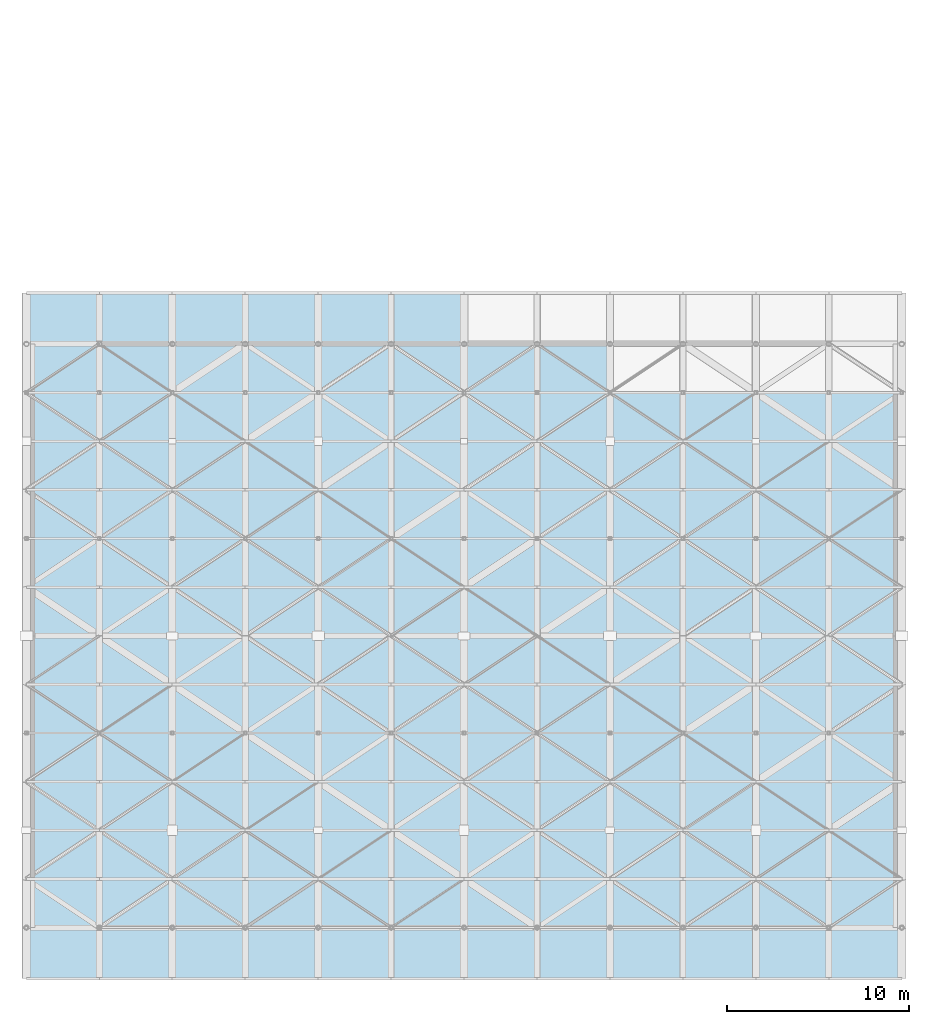
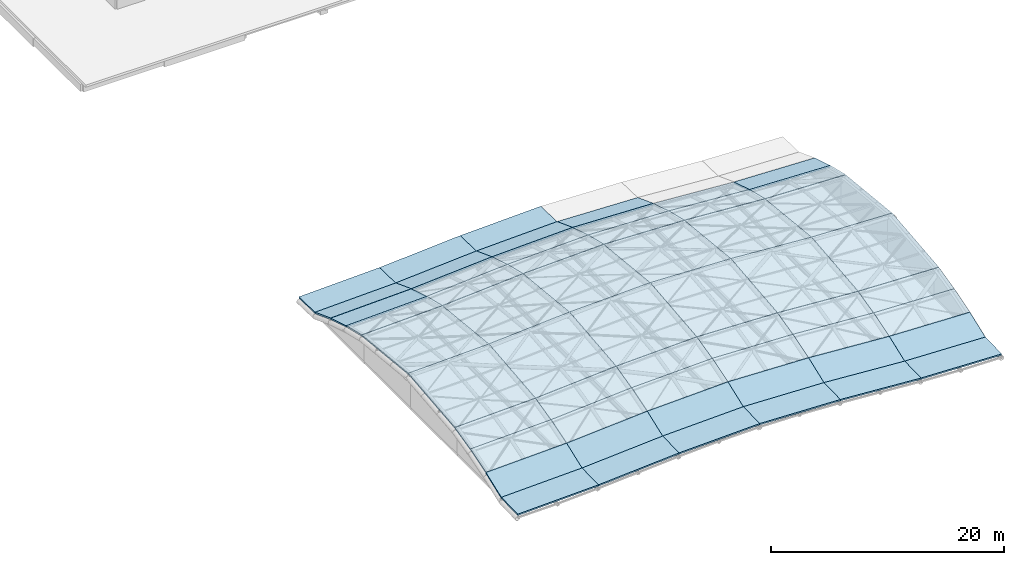
# One storey, part 18 of 20: 55 slabs.
"""IFC4 building model written with IfcOpenShell, lengths in metres."""

from ifc_helpers import new_model, si_unit, direction, frame, origin, place, context, subcontext, project, spatial, polyline, outline, extrude, material, layer, layer_set, type_object, element, save


model = new_model("IFC4")

# Units and contexts
model_context = context("Model", 3, precision=1e-05, world=origin(), true_north=direction((0.0, 1.0)))
body_context = subcontext(model_context, "Body", "Model", "MODEL_VIEW")
ifc_project = project(units=[si_unit("LENGTHUNIT", "METRE"), si_unit("AREAUNIT", "SQUARE_METRE"), si_unit("VOLUMEUNIT", "CUBIC_METRE"), si_unit("PLANEANGLEUNIT", "RADIAN"), si_unit("MASSUNIT", "GRAM", prefix="KILO")], contexts=[model_context])

# Site, building, storey
site_placement = place(None, origin())
site = spatial("IfcSite", under=ifc_project, at=site_placement, CompositionType="ELEMENT")
building_placement = place(site_placement, origin())
building = spatial("IfcBuilding", under=site, at=building_placement, Name="Tenunan Teduh Sports Hall", CompositionType="ELEMENT")
storey_placement = place(building_placement, frame((0.0, 0.0, 23.39990234375)))
storey = spatial("IfcBuildingStorey", under=building, at=storey_placement, Name="RF", CompositionType="ELEMENT", Elevation=23.39990234375)

# Slabs
ifc_material_1 = material(Name="Concrete C40/50", Category="concrete")
ifc_layer_1 = layer(ifc_material_1, 0.14501953125)
ifc_layer_set_1 = layer_set([ifc_layer_1], Name="Concrete C40/50")
slab_type_1 = type_object("IfcSlabType", Name="SLB-ROOF-145", PredefinedType="ROOF", material=ifc_layer_set_1)
slab_1_placement = place(storey_placement, frame((6.0, 14.0, 0.070068359375), z_axis=(-0.03201273445, -0.353380874841, 0.934931624307), x_axis=(0.999414301422, 0.0, 0.034220667914)))
element("IfcSlab", 1, at=slab_1_placement, inside=storey, type_object=slab_type_1, Name="Doubly-Curved Gridshell Roof Facet V2-1-2", PredefinedType="ROOF", context=body_context, shape_type="SweptSolid", body=[
    extrude(outline(polyline([(0.0, 0.0), (8.004688334572023, -1.3877787807814457e-17), (8.039184706109044, 2.85093590233891), (0.03449637153702091, 2.85093590233891), (0.0, 0.0)])), origin(), (0.0, 0.0, -1.0), 0.14501953125),
])
slab_2_placement = place(storey_placement, frame((6.0, 19.3330078125, 1.902099609375), z_axis=(-0.033262783186, -0.234945312606, 0.971439286491), x_axis=(0.999414301422, 0.0, 0.034220667914)))
element("IfcSlab", 2, at=slab_2_placement, inside=storey, type_object=slab_type_1, Name="Doubly-Curved Gridshell Roof Facet V2-1-4", PredefinedType="ROOF", context=body_context, shape_type="SweptSolid", body=[
    extrude(outline(polyline([(0.0, 0.0), (8.004688334572023, 0.0), (8.026761333748775, 2.743794873270841), (0.02207299917675206, 2.743794873270841), (0.0, 0.0)])), origin(), (0.0, 0.0, -1.0), 0.14501953125),
])
slab_3_placement = place(storey_placement, frame((6.0, 30.0, 3.37109375), z_axis=(-0.034040796302, 0.102395443422, 0.994161152607), x_axis=(0.999414301422, 0.0, 0.034220667914)))
element("IfcSlab", 3, at=slab_3_placement, inside=storey, type_object=slab_type_1, Name="Doubly-Curved Gridshell Roof Facet V2-1-6", PredefinedType="ROOF", context=body_context, shape_type="SweptSolid", body=[
    extrude(outline(polyline([(0.0, 0.0), (8.004688334572023, 0.0), (7.976491373095286, 8.042272010337513), (-0.028196961476736636, 8.042272010337513), (0.0, 0.0)])), origin(), (0.0, 0.0, -1.0), 0.14501953125),
])
slab_4_placement = place(storey_placement, frame((6.0, 40.6669921875, 1.902099609375), z_axis=(-0.032696416191, 0.295126610269, 0.954898543448), x_axis=(0.999414301422, 0.0, 0.034220667914)))
element("IfcSlab", 4, at=slab_4_placement, inside=storey, type_object=slab_type_1, Name="Doubly-Curved Gridshell Roof Facet V2-1-8", PredefinedType="ROOF", context=body_context, shape_type="SweptSolid", body=[
    extrude(outline(polyline([(0.0, 0.0), (8.004688334572023, 0.0), (7.976491373095286, 2.790300772497887), (-0.028196961476736636, 2.790300772497887), (0.0, 0.0)])), origin(), (0.0, 0.0, -1.0), 0.14501953125),
])
slab_5_placement = place(storey_placement, frame((6.0, 46.0, 0.070068359375), z_axis=(-0.034207454097, 0.027787083186, 0.999028392035), x_axis=(0.999414301422, 0.0, 0.034220667914)))
element("IfcSlab", 5, at=slab_5_placement, inside=storey, type_object=slab_type_1, Name="Doubly-Curved Gridshell Roof Facet V2-1-10", PredefinedType="ROOF", context=body_context, shape_type="SweptSolid", body=[
    extrude(outline(polyline([(0.0, 0.0), (8.004688334572023, -8.673617379884035e-19), (8.00202319954652, 2.8011304441593703), (-0.002665135025504885, 2.80113044415937), (0.0, 0.0)])), origin(), (0.0, 0.0, -1.0), 0.14501953125),
])
slab_6_placement = place(storey_placement, frame((14.0, 14.0, 0.343994140625), z_axis=(-0.064296092415, -0.352830521692, 0.933475567684), x_axis=(0.997636305652, 0.0, 0.068715366878)))
element("IfcSlab", 6, at=slab_6_placement, inside=storey, type_object=slab_type_1, Name="Doubly-Curved Gridshell Roof Facet V2-2-2", PredefinedType="ROOF", context=body_context, shape_type="SweptSolid", body=[
    extrude(outline(polyline([(0.0, 0.0), (8.018954357091294, 0.0), (8.088223338985586, 2.8503030237224825), (0.06926898189429265, 2.8503030237224825), (0.0, 0.0)])), origin(), (0.0, 0.0, -1.0), 0.14501953125),
])
slab_7_placement = place(storey_placement, frame((14.0, 19.3330078125, 2.176025390625), z_axis=(-0.066804041325, -0.23421473368, 0.969886941138), x_axis=(0.997636305652, 0.0, 0.068715366878)))
element("IfcSlab", 7, at=slab_7_placement, inside=storey, type_object=slab_type_1, Name="Doubly-Curved Gridshell Roof Facet V2-2-4", PredefinedType="ROOF", context=body_context, shape_type="SweptSolid", body=[
    extrude(outline(polyline([(0.0, 0.0), (8.018954357091294, 0.0), (8.063210005974108, 2.743297306404158), (0.04425564888281521, 2.743297306404158), (0.0, 0.0)])), origin(), (0.0, 0.0, -1.0), 0.14501953125),
])
slab_8_placement = place(storey_placement, frame((14.0, 30.0, 3.64501953125), z_axis=(-0.06823403238, 0.102335905642, 0.992406912129), x_axis=(0.997644646858, 0.0, 0.068594158611)))
element("IfcSlab", 8, at=slab_8_placement, inside=storey, type_object=slab_type_1, Name="Doubly-Curved Gridshell Roof Facet V2-2-6", PredefinedType="ROOF", context=body_context, shape_type="SweptSolid", body=[
    extrude(outline(polyline([(0.0, 0.0), (8.018887311424303, 0.0), (7.962300479894233, 8.04222247680797), (-0.056586831530070776, 8.04222247680797), (0.0, 0.0)])), origin(), (0.0, 0.0, -1.0), 0.14501953125),
])
slab_9_placement = place(storey_placement, frame((14.0, 40.6669921875, 2.176025390625), z_axis=(-0.065664824326, 0.294647188474, 0.953347347597), x_axis=(0.997636305652, 0.0, 0.068715366878)))
element("IfcSlab", 9, at=slab_9_placement, inside=storey, type_object=slab_type_1, Name="Doubly-Curved Gridshell Roof Facet V2-2-8", PredefinedType="ROOF", context=body_context, shape_type="SweptSolid", body=[
    extrude(outline(polyline([(0.0, 0.0), (8.018954357091294, 0.0), (7.962334639509981, 2.7898687562714914), (-0.0566197175813121, 2.7898687562714914), (0.0, 0.0)])), origin(), (0.0, 0.0, -1.0), 0.14501953125),
])
slab_10_placement = place(storey_placement, frame((14.0, 46.0, 0.343994140625), z_axis=(-0.068688927702, 0.027737686984, 0.997252451454), x_axis=(0.997636305652, 0.0, 0.068715366878)))
element("IfcSlab", 10, at=slab_10_placement, inside=storey, type_object=slab_type_1, Name="Doubly-Curved Gridshell Roof Facet V2-2-10", PredefinedType="ROOF", context=body_context, shape_type="SweptSolid", body=[
    extrude(outline(polyline([(0.0, 0.0), (8.018954357091294, 1.734723475976807e-18), (8.01360274526657, 2.8011265998508623), (-0.005351611824722537, 2.8011265998508623), (0.0, 0.0)])), origin(), (0.0, 0.0, -1.0), 0.14501953125),
])
slab_11_placement = place(storey_placement, frame((22.0, 14.0, 0.89501953125), z_axis=(-0.032387178077, -0.353077013175, 0.935033525315), x_axis=(0.999400662727, 0.0, 0.034616691656)))
element("IfcSlab", 11, at=slab_11_placement, inside=storey, type_object=slab_type_1, Name="Doubly-Curved Gridshell Roof Facet V2-3-2", PredefinedType="ROOF", context=body_context, shape_type="SweptSolid", body=[
    extrude(outline(polyline([(0.0, 0.0), (8.004797573550238, 0.0), (8.039659354087933, 2.8505863025349774), (0.03486178053769502, 2.8505863025349774), (0.0, 0.0)])), origin(), (0.0, 0.0, -1.0), 0.14501953125),
])
slab_12_placement = place(storey_placement, frame((22.0, 19.3330078125, 2.72705078125), z_axis=(-0.033650557172, -0.23460617165, 0.971507892004), x_axis=(0.999400662727, 0.0, 0.034616691656)))
element("IfcSlab", 12, at=slab_12_placement, inside=storey, type_object=slab_type_1, Name="Doubly-Curved Gridshell Roof Facet V2-3-4", PredefinedType="ROOF", context=body_context, shape_type="SweptSolid", body=[
    extrude(outline(polyline([(0.0, 0.0), (8.004797573550238, -1.3877787807814457e-17), (8.02709221041289, 2.7435636721150667), (0.02229463686265199, 2.7435636721150667), (0.0, 0.0)])), origin(), (0.0, 0.0, -1.0), 0.14501953125),
])
slab_13_placement = place(storey_placement, frame((22.0, 30.0, 4.195068359375), z_axis=(-0.034555954646, 0.102393632072, 0.994143566146), x_axis=(0.99939643471, 0.0, 0.034738541844)))
element("IfcSlab", 13, at=slab_13_placement, inside=storey, type_object=slab_type_1, Name="Doubly-Curved Gridshell Roof Facet V2-3-6", PredefinedType="ROOF", context=body_context, shape_type="SweptSolid", body=[
    extrude(outline(polyline([(0.0, 0.0), (8.004831438410472, 6.938893903907228e-18), (7.976207761964551, 8.04227050291405), (-0.028623676445921103, 8.042270502914052), (0.0, 0.0)])), origin(), (0.0, 0.0, -1.0), 0.14501953125),
])
slab_14_placement = place(storey_placement, frame((22.0, 40.6669921875, 2.72705078125), z_axis=(-0.033071423917, 0.295442194859, 0.954788034287), x_axis=(0.999400662727, 0.0, 0.034616691656)))
element("IfcSlab", 14, at=slab_14_placement, inside=storey, type_object=slab_type_1, Name="Doubly-Curved Gridshell Roof Facet V2-3-8", PredefinedType="ROOF", context=body_context, shape_type="SweptSolid", body=[
    extrude(outline(polyline([(0.0, 0.0), (8.004797573550238, 0.0), (7.976240493201906, 2.7905856449648803), (-0.028557080348332483, 2.7905856449648803), (0.0, 0.0)])), origin(), (0.0, 0.0, -1.0), 0.14501953125),
])
slab_15_placement = place(storey_placement, frame((22.0, 46.0, 0.89501953125), z_axis=(-0.034587720396, 0.028178385516, 0.999004338423), x_axis=(0.999401189768, -4.29282e-07, 0.034601472368)))
element("IfcSlab", 15, at=slab_15_placement, inside=storey, type_object=slab_type_1, Name="Doubly-Curved Gridshell Roof Facet V2-3-10", PredefinedType="ROOF", context=body_context, shape_type="SweptSolid", body=[
    extrude(outline(polyline([(0.0, 0.0), (8.004797572621326, 8.673617379884035e-19), (8.002059340080235, 2.801164576436946), (-0.002729784916001238, 2.8011577010714284), (0.0, 0.0)])), origin(), (0.0, 0.0, -1.0), 0.14501953125),
])
slab_16_placement = place(storey_placement, frame((30.0, 14.0, 1.172119140625), z_axis=(0.032383261743, -0.353376654573, 0.934920458842), x_axis=(0.999400662727, 0.0, -0.034616691656)))
element("IfcSlab", 16, at=slab_16_placement, inside=storey, type_object=slab_type_1, Name="Doubly-Curved Gridshell Roof Facet V2-4-2", PredefinedType="ROOF", context=body_context, shape_type="SweptSolid", body=[
    extrude(outline(polyline([(0.0, 0.0), (8.004797573550238, 0.0), (7.969901987649598, 2.8509310438835325), (-0.034895585900640666, 2.8509310438835325), (0.0, 0.0)])), origin(), (0.0, 0.0, -1.0), 0.14501953125),
])
slab_17_placement = place(storey_placement, frame((30.0, 19.3330078125, 3.004150390625), z_axis=(0.033650557172, -0.23460617165, 0.971507892004), x_axis=(0.999400662727, 0.0, -0.034616691656)))
element("IfcSlab", 17, at=slab_17_placement, inside=storey, type_object=slab_type_1, Name="Doubly-Curved Gridshell Roof Facet V2-4-4", PredefinedType="ROOF", context=body_context, shape_type="SweptSolid", body=[
    extrude(outline(polyline([(0.0, 0.0), (8.004797573550238, 1.3877787807814457e-17), (7.982502936687586, 2.743563672115067), (-0.02229463686265199, 2.7435636721150667), (0.0, 0.0)])), origin(), (0.0, 0.0, -1.0), 0.14501953125),
])
slab_18_placement = place(storey_placement, frame((30.0, 30.0, 4.47314453125), z_axis=(0.034555525007, 0.102513712903, 0.994131205806), x_axis=(0.99939643471, 0.0, -0.034738541844)))
element("IfcSlab", 18, at=slab_18_placement, inside=storey, type_object=slab_type_1, Name="Doubly-Curved Gridshell Roof Facet V2-4-6", PredefinedType="ROOF", context=body_context, shape_type="SweptSolid", body=[
    extrude(outline(polyline([(0.0, 0.0), (8.004831438410472, -6.938893903907228e-18), (8.033489039213661, 8.042370494940789), (0.028657600803190342, 8.042370494940789), (0.0, 0.0)])), origin(), (0.0, 0.0, -1.0), 0.14501953125),
])
slab_19_placement = place(storey_placement, frame((30.0, 40.6669921875, 3.004150390625), z_axis=(0.033074839618, 0.295122933556, 0.954886647238), x_axis=(0.999400662727, 0.0, -0.034616691656)))
element("IfcSlab", 19, at=slab_19_placement, inside=storey, type_object=slab_type_1, Name="Doubly-Curved Gridshell Roof Facet V2-4-8", PredefinedType="ROOF", context=body_context, shape_type="SweptSolid", body=[
    extrude(outline(polyline([(0.0, 0.0), (8.004797573550238, -1.3877787807814457e-17), (8.033320848535626, 2.790297455903749), (0.028523274985386836, 2.790297455903749), (0.0, 0.0)])), origin(), (0.0, 0.0, -1.0), 0.14501953125),
])
slab_20_placement = place(storey_placement, frame((38.0, 14.0, 0.89501953125), z_axis=(0.064303844171, -0.352531211695, 0.933588110681), x_axis=(0.997636305652, 0.0, -0.068715366878)))
element("IfcSlab", 20, at=slab_20_placement, inside=storey, type_object=slab_type_1, Name="Doubly-Curved Gridshell Roof Facet V2-5-2", PredefinedType="ROOF", context=body_context, shape_type="SweptSolid", body=[
    extrude(outline(polyline([(0.0, 0.0), (8.018954357091294, 0.0), (7.949752480047468, 2.849959422896386), (-0.06920187704382591, 2.8499594228963865), (0.0, 0.0)])), origin(), (0.0, 0.0, -1.0), 0.14501953125),
])
slab_21_placement = place(storey_placement, frame((38.0, 19.3330078125, 2.72705078125), z_axis=(0.066804041325, -0.23421473368, 0.969886941138), x_axis=(0.997636305652, 0.0, -0.068715366878)))
element("IfcSlab", 21, at=slab_21_placement, inside=storey, type_object=slab_type_1, Name="Doubly-Curved Gridshell Roof Facet V2-5-4", PredefinedType="ROOF", context=body_context, shape_type="SweptSolid", body=[
    extrude(outline(polyline([(0.0, 0.0), (8.018954357091294, 0.0), (7.974698708208479, 2.743297306404158), (-0.04425564888281521, 2.743297306404158), (0.0, 0.0)])), origin(), (0.0, 0.0, -1.0), 0.14501953125),
])
slab_22_placement = place(storey_placement, frame((38.0, 30.0, 4.195068359375), z_axis=(0.068234877814, 0.102216028683, 0.992419208263), x_axis=(0.997644646858, 0.0, -0.068594158611)))
element("IfcSlab", 22, at=slab_22_placement, inside=storey, type_object=slab_type_1, Name="Doubly-Curved Gridshell Roof Facet V2-5-6", PredefinedType="ROOF", context=body_context, shape_type="SweptSolid", body=[
    extrude(outline(polyline([(0.0, 0.0), (8.018887311424303, 0.0), (8.075407156471355, 8.042122833183447), (0.05651984504705205, 8.042122833183447), (0.0, 0.0)])), origin(), (0.0, 0.0, -1.0), 0.14501953125),
])
slab_23_placement = place(storey_placement, frame((38.0, 40.6669921875, 2.72705078125), z_axis=(0.065658064838, 0.294966033246, 0.953249210728), x_axis=(0.997636305652, 0.0, -0.068715366878)))
element("IfcSlab", 23, at=slab_23_placement, inside=storey, type_object=slab_type_1, Name="Doubly-Curved Gridshell Roof Facet V2-5-8", PredefinedType="ROOF", context=body_context, shape_type="SweptSolid", body=[
    extrude(outline(polyline([(0.0, 0.0), (8.018954357091294, 0.0), (8.075641179523073, 2.7901559728597007), (0.05668682243177885, 2.790155972859701), (0.0, 0.0)])), origin(), (0.0, 0.0, -1.0), 0.14501953125),
])
slab_24_placement = place(storey_placement, frame((46.0, 14.0, 0.343994140625), z_axis=(0.03201273445, -0.353380874841, 0.934931624307), x_axis=(0.999414301422, 0.0, -0.034220667914)))
element("IfcSlab", 24, at=slab_24_placement, inside=storey, type_object=slab_type_1, Name="Doubly-Curved Gridshell Roof Facet V2-6-2", PredefinedType="ROOF", context=body_context, shape_type="SweptSolid", body=[
    extrude(outline(polyline([(0.0, 0.0), (8.004688334572023, 1.3877787807814457e-17), (7.970191963035003, 2.85093590233891), (-0.03449637153702091, 2.85093590233891), (0.0, 0.0)])), origin(), (0.0, 0.0, -1.0), 0.14501953125),
])
slab_25_placement = place(storey_placement, frame((46.0, 19.3330078125, 2.176025390625), z_axis=(0.033265561267, -0.234609197069, 0.971520420312), x_axis=(0.999414301422, 0.0, -0.034220667914)))
element("IfcSlab", 25, at=slab_25_placement, inside=storey, type_object=slab_type_1, Name="Doubly-Curved Gridshell Roof Facet V2-6-4", PredefinedType="ROOF", context=body_context, shape_type="SweptSolid", body=[
    extrude(outline(polyline([(0.0, 0.0), (8.004688334572023, 0.0), (7.982648754016281, 2.743565732886908), (-0.02203958055574259, 2.7435657328869083), (0.0, 0.0)])), origin(), (0.0, 0.0, -1.0), 0.14501953125),
])
slab_26_placement = place(storey_placement, frame((46.0, 30.0, 3.64501953125), z_axis=(0.034040373053, 0.102515526332, 0.994148791612), x_axis=(0.999414301422, 0.0, -0.034220667914)))
element("IfcSlab", 26, at=slab_26_placement, inside=storey, type_object=slab_type_1, Name="Doubly-Curved Gridshell Roof Facet V2-6-6", PredefinedType="ROOF", context=body_context, shape_type="SweptSolid", body=[
    extrude(outline(polyline([(0.0, 0.0), (8.004688334572023, 0.0), (8.03291871466977, 8.042372005920733), (0.028230380097746102, 8.042372005920733), (0.0, 0.0)])), origin(), (0.0, 0.0, -1.0), 0.14501953125),
])
slab_27_placement = place(storey_placement, frame((46.0, 40.6669921875, 2.176025390625), z_axis=(0.032696416191, 0.295126610269, 0.954898543448), x_axis=(0.999414301422, 0.0, -0.034220667914)))
element("IfcSlab", 27, at=slab_27_placement, inside=storey, type_object=slab_type_1, Name="Doubly-Curved Gridshell Roof Facet V2-6-8", PredefinedType="ROOF", context=body_context, shape_type="SweptSolid", body=[
    extrude(outline(polyline([(0.0, 0.0), (8.004688334572023, 0.0), (8.032885296048761, 2.790300772497887), (0.028196961476736636, 2.790300772497887), (0.0, 0.0)])), origin(), (0.0, 0.0, -1.0), 0.14501953125),
])
ifc_material_2 = material(Name="Concrete C40/50", Category="concrete")
ifc_layer_2 = layer(ifc_material_2, 0.159912109375)
ifc_layer_set_2 = layer_set([ifc_layer_2], Name="Concrete C40/50")
slab_type_2 = type_object("IfcSlabType", Name="SLB-ROOF-160", PredefinedType="ROOF", material=ifc_layer_set_2)
slab_28_placement = place(storey_placement, frame((6.0, 11.199951171875, 0.008056640625), z_axis=(-0.034085561698, -0.02787423853, 0.999030130331), x_axis=(0.999418466447, 0.0, 0.034098811203)))
element("IfcSlab", 28, at=slab_28_placement, inside=storey, type_object=slab_type_2, Name="Doubly-Curved Gridshell Roof Facet V2-1-1", PredefinedType="ROOF", context=body_context, shape_type="SweptSolid", body=[
    extrude(outline(polyline([(0.0, 0.0), (8.004654975451237, 1.734723475976807e-18), (8.007318945076442, 2.801137243830624), (0.0026639696252044476, 2.801137243830624), (0.0, 0.0)])), origin(), (0.0, 0.0, -1.0), 0.159912109375),
])
slab_29_placement = place(storey_placement, frame((6.0, 16.6669921875, 1.093994140625), z_axis=(-0.032594109937, -0.295167506522, 0.95488940045), x_axis=(0.999417901321, 4.29822e-06, 0.034115370458)))
element("IfcSlab", 29, at=slab_29_placement, inside=storey, type_object=slab_type_2, Name="Doubly-Curved Gridshell Roof Facet V2-1-3", PredefinedType="ROOF", context=body_context, shape_type="SweptSolid", body=[
    extrude(outline(polyline([(0.0, 0.0), (8.004663303226408, 0.0), (8.032784961394244, 2.7903015300131333), (0.02812998711570049, 2.790373550411036), (0.0, 0.0)])), origin(), (0.0, 0.0, -1.0), 0.159912109375),
])
slab_30_placement = place(storey_placement, frame((6.0, 22.0, 2.56201171875), z_axis=(-0.034055472006, -0.102530483425, 0.994146732025), x_axis=(0.999413774266, 1.554421e-06, 0.034236060021)))
element("IfcSlab", 30, at=slab_30_placement, inside=storey, type_object=slab_type_2, Name="Doubly-Curved Gridshell Roof Facet V2-1-5", PredefinedType="ROOF", context=body_context, shape_type="SweptSolid", body=[
    extrude(outline(polyline([(0.0, 0.0), (8.004696692026108, 0.0), (8.032952205229524, 8.04237191674349), (0.028263871616507785, 8.042396933912551), (0.0, 0.0)])), origin(), (0.0, 0.0, -1.0), 0.159912109375),
])
slab_31_placement = place(storey_placement, frame((6.0, 38.0, 2.56201171875), z_axis=(-0.033280716244, 0.234567061006, 0.971530075611), x_axis=(0.999413751036, -3.475269e-06, 0.034236737984)))
element("IfcSlab", 31, at=slab_31_placement, inside=storey, type_object=slab_type_2, Name="Doubly-Curved Gridshell Roof Facet V2-1-7", PredefinedType="ROOF", context=body_context, shape_type="SweptSolid", body=[
    extrude(outline(polyline([(0.0, 0.0), (8.004696692067487, 2.7755575615628914e-17), (7.982637493180346, 2.74356557265578), (-0.022050840308532323, 2.743508338908063), (0.0, 0.0)])), origin(), (0.0, 0.0, -1.0), 0.159912109375),
])
slab_32_placement = place(storey_placement, frame((6.0, 43.3330078125, 1.093994140625), z_axis=(-0.031913457416, 0.353344553152, 0.934948746186), x_axis=(0.9994178817, -5.037942e-06, 0.034115945145)))
element("IfcSlab", 32, at=slab_32_placement, inside=storey, type_object=slab_type_2, Name="Doubly-Curved Gridshell Roof Facet V2-1-9", PredefinedType="ROOF", context=body_context, shape_type="SweptSolid", body=[
    extrude(outline(polyline([(0.0, 0.0), (8.004663303261484, -4.163336342344337e-17), (7.970259062054378, 2.8509370133441423), (-0.03439591211893633, 2.850850797840226), (0.0, 0.0)])), origin(), (0.0, 0.0, -1.0), 0.159912109375),
])
slab_33_placement = place(storey_placement, frame((14.0, 11.199951171875, 0.281005859375), z_axis=(-0.068688761776, -0.027824571767, 0.997250042473), x_axis=(0.997636305652, 0.0, 0.068715366878)))
element("IfcSlab", 33, at=slab_33_placement, inside=storey, type_object=slab_type_2, Name="Doubly-Curved Gridshell Roof Facet V2-2-1", PredefinedType="ROOF", context=body_context, shape_type="SweptSolid", body=[
    extrude(outline(polyline([(0.0, 0.0), (8.018954357091294, 0.0), (8.024322745128632, 2.8011333663214018), (0.005368388037339222, 2.8011333663214018), (0.0, 0.0)])), origin(), (0.0, 0.0, -1.0), 0.159912109375),
])
slab_34_placement = place(storey_placement, frame((14.0, 16.6669921875, 1.3671875), z_axis=(-0.065664824326, -0.294647188474, 0.953347347597), x_axis=(0.997636305652, 0.0, 0.068715366878)))
element("IfcSlab", 34, at=slab_34_placement, inside=storey, type_object=slab_type_2, Name="Doubly-Curved Gridshell Roof Facet V2-2-3", PredefinedType="ROOF", context=body_context, shape_type="SweptSolid", body=[
    extrude(outline(polyline([(0.0, 0.0), (8.018954357091294, 0.0), (8.075574074672605, 2.789868756271491), (0.0566197175813121, 2.7898687562714914), (0.0, 0.0)])), origin(), (0.0, 0.0, -1.0), 0.159912109375),
])
slab_35_placement = place(storey_placement, frame((14.0, 22.0, 2.836181640625), z_axis=(-0.068355457191, -0.102215182994, 0.992410997439), x_axis=(0.997636305652, 0.0, 0.068715366878)))
element("IfcSlab", 35, at=slab_35_placement, inside=storey, type_object=slab_type_2, Name="Doubly-Curved Gridshell Roof Facet V2-2-5", PredefinedType="ROOF", context=body_context, shape_type="SweptSolid", body=[
    extrude(outline(polyline([(0.0, 0.0), (8.018954357091294, -6.938893903907228e-18), (8.075574074672605, 8.042122130661514), (0.05661971758131211, 8.042122130661514), (0.0, 0.0)])), origin(), (0.0, 0.0, -1.0), 0.159912109375),
])
slab_36_placement = place(storey_placement, frame((14.0, 38.0, 2.836181640625), z_axis=(-0.066798481114, 0.234550349895, 0.969806215842), x_axis=(0.997636305652, 0.0, 0.068715366878)))
element("IfcSlab", 36, at=slab_36_placement, inside=storey, type_object=slab_type_2, Name="Doubly-Curved Gridshell Roof Facet V2-2-7", PredefinedType="ROOF", context=body_context, shape_type="SweptSolid", body=[
    extrude(outline(polyline([(0.0, 0.0), (8.018954357091294, 0.0), (7.974631603358011, 2.7435256545878164), (-0.04432275373328195, 2.7435256545878164), (0.0, 0.0)])), origin(), (0.0, 0.0, -1.0), 0.159912109375),
])
slab_37_placement = place(storey_placement, frame((14.0, 43.3330078125, 1.3671875), z_axis=(-0.064296092415, 0.352830521692, 0.933475567684), x_axis=(0.997636305652, 0.0, 0.068715366878)))
element("IfcSlab", 37, at=slab_37_placement, inside=storey, type_object=slab_type_2, Name="Doubly-Curved Gridshell Roof Facet V2-2-9", PredefinedType="ROOF", context=body_context, shape_type="SweptSolid", body=[
    extrude(outline(polyline([(0.0, 0.0), (8.018954357091294, 0.0), (7.949685375197001, 2.8503030237224825), (-0.06926898189429265, 2.8503030237224825), (0.0, 0.0)])), origin(), (0.0, 0.0, -1.0), 0.159912109375),
])
slab_38_placement = place(storey_placement, frame((22.0, 11.199951171875, 0.83203125), z_axis=(-0.03458805788, -0.027830238076, 0.999014086037), x_axis=(0.999401189778, 4.23983e-07, 0.034601472071)))
element("IfcSlab", 38, at=slab_38_placement, inside=storey, type_object=slab_type_2, Name="Doubly-Curved Gridshell Roof Facet V2-3-1", PredefinedType="ROOF", context=body_context, shape_type="SweptSolid", body=[
    extrude(outline(polyline([(0.0, 0.0), (8.004797572621309, 0.0), (8.007493552174395, 2.8011304119879226), (0.00270442717810534, 2.801137202407449), (0.0, 0.0)])), origin(), (0.0, 0.0, -1.0), 0.159912109375),
])
slab_39_placement = place(storey_placement, frame((22.0, 16.6669921875, 1.918212890625), z_axis=(-0.033045730627, -0.295123217879, 0.954887567181), x_axis=(0.999401717415, 0.0, 0.034586228868)))
element("IfcSlab", 39, at=slab_39_placement, inside=storey, type_object=slab_type_2, Name="Doubly-Curved Gridshell Roof Facet V2-3-3", PredefinedType="ROOF", context=body_context, shape_type="SweptSolid", body=[
    extrude(outline(polyline([(0.0, 0.0), (8.004789125928102, 0.0), (8.033287300349425, 2.790297712376491), (0.02849817442132363, 2.790297712376491), (0.0, 0.0)])), origin(), (0.0, 0.0, -1.0), 0.159912109375),
])
slab_40_placement = place(storey_placement, frame((22.0, 22.0, 3.38720703125), z_axis=(-0.034404440327, -0.10239416764, 0.99414876599), x_axis=(0.999401717415, 0.0, 0.034586228868)))
element("IfcSlab", 40, at=slab_40_placement, inside=storey, type_object=slab_type_2, Name="Doubly-Curved Gridshell Roof Facet V2-3-5", PredefinedType="ROOF", context=body_context, shape_type="SweptSolid", body=[
    extrude(outline(polyline([(0.0, 0.0), (8.004789125928102, 3.469446951953614e-18), (8.033287300349425, 8.042270948615778), (0.02849817442132363, 8.042270948615778), (0.0, 0.0)])), origin(), (0.0, 0.0, -1.0), 0.159912109375),
])
slab_41_placement = place(storey_placement, frame((22.0, 38.0, 3.38720703125), z_axis=(-0.03361813494, 0.234942517613, 0.971427729901), x_axis=(0.999401717415, 0.0, 0.034586228868)))
element("IfcSlab", 41, at=slab_41_placement, inside=storey, type_object=slab_type_2, Name="Doubly-Curved Gridshell Roof Facet V2-3-7", PredefinedType="ROOF", context=body_context, shape_type="SweptSolid", body=[
    extrude(outline(polyline([(0.0, 0.0), (8.004789125928102, 0.0), (7.982480332795913, 2.743792966247452), (-0.02230879313218875, 2.743792966247452), (0.0, 0.0)])), origin(), (0.0, 0.0, -1.0), 0.159912109375),
])
slab_42_placement = place(storey_placement, frame((22.0, 43.3330078125, 1.918212890625), z_axis=(-0.032354760115, 0.35337698093, 0.934921322276), x_axis=(0.999401717415, 0.0, 0.034586228868)))
element("IfcSlab", 42, at=slab_42_placement, inside=storey, type_object=slab_type_2, Name="Doubly-Curved Gridshell Roof Facet V2-3-9", PredefinedType="ROOF", context=body_context, shape_type="SweptSolid", body=[
    extrude(outline(polyline([(0.0, 0.0), (8.004789125928102, 1.3877787807814457e-17), (7.9699242482434665, 2.850931419588733), (-0.034864877684635635, 2.850931419588733), (0.0, 0.0)])), origin(), (0.0, 0.0, -1.0), 0.159912109375),
])
slab_43_placement = place(storey_placement, frame((30.0, 11.199951171875, 1.109130859375), z_axis=(0.03458805788, -0.027830238076, 0.999014086037), x_axis=(0.999401189778, -4.23983e-07, -0.034601472071)))
element("IfcSlab", 43, at=slab_43_placement, inside=storey, type_object=slab_type_2, Name="Doubly-Curved Gridshell Roof Facet V2-4-1", PredefinedType="ROOF", context=body_context, shape_type="SweptSolid", body=[
    extrude(outline(polyline([(0.0, 0.0), (8.004797572621309, 0.0), (8.002093145443203, 2.801137202407449), (-0.002695979553087932, 2.8011304119879226), (0.0, 0.0)])), origin(), (0.0, 0.0, -1.0), 0.159912109375),
])
slab_44_placement = place(storey_placement, frame((30.0, 16.6669921875, 2.195068359375), z_axis=(0.033042317925, -0.29544247943, 0.954788953944), x_axis=(0.999401717415, 0.0, -0.034586228868)))
element("IfcSlab", 44, at=slab_44_placement, inside=storey, type_object=slab_type_2, Name="Doubly-Curved Gridshell Roof Facet V2-4-3", PredefinedType="ROOF", context=body_context, shape_type="SweptSolid", body=[
    extrude(outline(polyline([(0.0, 0.0), (8.004789125928102, 0.0), (7.976257175892649, 2.790585902019368), (-0.028531950035452606, 2.790585902019368), (0.0, 0.0)])), origin(), (0.0, 0.0, -1.0), 0.159912109375),
])
slab_45_placement = place(storey_placement, frame((30.0, 22.0, 3.6640625), z_axis=(0.034404440327, -0.10239416764, 0.99414876599), x_axis=(0.999401717415, 0.0, -0.034586228868)))
element("IfcSlab", 45, at=slab_45_placement, inside=storey, type_object=slab_type_2, Name="Doubly-Curved Gridshell Roof Facet V2-4-5", PredefinedType="ROOF", context=body_context, shape_type="SweptSolid", body=[
    extrude(outline(polyline([(0.0, 0.0), (8.004789125928102, -3.469446951953614e-18), (7.976290951506778, 8.04227094861578), (-0.02849817442132363, 8.042270948615778), (0.0, 0.0)])), origin(), (0.0, 0.0, -1.0), 0.159912109375),
])
slab_46_placement = place(storey_placement, frame((30.0, 38.0, 3.6640625), z_axis=(0.033620942632, 0.234606405608, 0.971508860826), x_axis=(0.999401717415, 0.0, -0.034586228868)))
element("IfcSlab", 46, at=slab_46_placement, inside=storey, type_object=slab_type_2, Name="Doubly-Curved Gridshell Roof Facet V2-4-7", PredefinedType="ROOF", context=body_context, shape_type="SweptSolid", body=[
    extrude(outline(polyline([(0.0, 0.0), (8.004789125928102, 0.0), (8.027064143446161, 2.743563831474843), (0.022275017518059773, 2.743563831474843), (0.0, 0.0)])), origin(), (0.0, 0.0, -1.0), 0.159912109375),
])
slab_47_placement = place(storey_placement, frame((30.0, 43.3330078125, 2.195068359375), z_axis=(0.032354760115, 0.35337698093, 0.934921322276), x_axis=(0.999401717415, 0.0, -0.034586228868)))
element("IfcSlab", 47, at=slab_47_placement, inside=storey, type_object=slab_type_2, Name="Doubly-Curved Gridshell Roof Facet V2-4-9", PredefinedType="ROOF", context=body_context, shape_type="SweptSolid", body=[
    extrude(outline(polyline([(0.0, 0.0), (8.004789125928102, -1.3877787807814457e-17), (8.039654003612737, 2.8509314195887336), (0.034864877684635635, 2.850931419588733), (0.0, 0.0)])), origin(), (0.0, 0.0, -1.0), 0.159912109375),
])
slab_48_placement = place(storey_placement, frame((38.0, 11.199951171875, 0.83203125), z_axis=(0.068688761776, -0.027824571767, 0.997250042473), x_axis=(0.997636305652, 0.0, -0.068715366878)))
element("IfcSlab", 48, at=slab_48_placement, inside=storey, type_object=slab_type_2, Name="Doubly-Curved Gridshell Roof Facet V2-5-1", PredefinedType="ROOF", context=body_context, shape_type="SweptSolid", body=[
    extrude(outline(polyline([(0.0, 0.0), (8.018954357091294, 0.0), (8.013585969053954, 2.8011333663214018), (-0.005368388037339222, 2.8011333663214018), (0.0, 0.0)])), origin(), (0.0, 0.0, -1.0), 0.159912109375),
])
slab_49_placement = place(storey_placement, frame((38.0, 16.6669921875, 1.918212890625), z_axis=(0.065664824326, -0.294647188474, 0.953347347597), x_axis=(0.997636305652, 0.0, -0.068715366878)))
element("IfcSlab", 49, at=slab_49_placement, inside=storey, type_object=slab_type_2, Name="Doubly-Curved Gridshell Roof Facet V2-5-3", PredefinedType="ROOF", context=body_context, shape_type="SweptSolid", body=[
    extrude(outline(polyline([(0.0, 0.0), (8.018954357091294, 0.0), (7.962334639509981, 2.7898687562714914), (-0.0566197175813121, 2.7898687562714914), (0.0, 0.0)])), origin(), (0.0, 0.0, -1.0), 0.159912109375),
])
slab_50_placement = place(storey_placement, frame((38.0, 22.0, 3.38720703125), z_axis=(0.068355457191, -0.102215182994, 0.992410997439), x_axis=(0.997636305652, 0.0, -0.068715366878)))
element("IfcSlab", 50, at=slab_50_placement, inside=storey, type_object=slab_type_2, Name="Doubly-Curved Gridshell Roof Facet V2-5-5", PredefinedType="ROOF", context=body_context, shape_type="SweptSolid", body=[
    extrude(outline(polyline([(0.0, 0.0), (8.018954357091294, 6.938893903907228e-18), (7.962334639509981, 8.042122130661514), (-0.05661971758131211, 8.042122130661514), (0.0, 0.0)])), origin(), (0.0, 0.0, -1.0), 0.159912109375),
])
slab_51_placement = place(storey_placement, frame((38.0, 38.0, 3.38720703125), z_axis=(0.066798481114, 0.234550349895, 0.969806215842), x_axis=(0.997636305652, 0.0, -0.068715366878)))
element("IfcSlab", 51, at=slab_51_placement, inside=storey, type_object=slab_type_2, Name="Doubly-Curved Gridshell Roof Facet V2-5-7", PredefinedType="ROOF", context=body_context, shape_type="SweptSolid", body=[
    extrude(outline(polyline([(0.0, 0.0), (8.018954357091294, 0.0), (8.063277110824576, 2.743525654587816), (0.04432275373328195, 2.7435256545878164), (0.0, 0.0)])), origin(), (0.0, 0.0, -1.0), 0.159912109375),
])
slab_52_placement = place(storey_placement, frame((46.0, 11.199951171875, 0.281005859375), z_axis=(0.034085561698, -0.02787423853, 0.999030130331), x_axis=(0.999418466447, 0.0, -0.034098811203)))
element("IfcSlab", 52, at=slab_52_placement, inside=storey, type_object=slab_type_2, Name="Doubly-Curved Gridshell Roof Facet V2-6-1", PredefinedType="ROOF", context=body_context, shape_type="SweptSolid", body=[
    extrude(outline(polyline([(0.0, 0.0), (8.004654975451237, -1.734723475976807e-18), (8.001991005826032, 2.801137243830624), (-0.0026639696252044476, 2.801137243830624), (0.0, 0.0)])), origin(), (0.0, 0.0, -1.0), 0.159912109375),
])
slab_53_placement = place(storey_placement, frame((46.0, 16.6669921875, 1.3671875), z_axis=(0.032594109937, -0.295167506522, 0.95488940045), x_axis=(0.999417901321, -4.29822e-06, -0.034115370458)))
element("IfcSlab", 53, at=slab_53_placement, inside=storey, type_object=slab_type_2, Name="Doubly-Curved Gridshell Roof Facet V2-6-3", PredefinedType="ROOF", context=body_context, shape_type="SweptSolid", body=[
    extrude(outline(polyline([(0.0, 0.0), (8.004663303226408, 0.0), (7.976533316110708, 2.7903735504110356), (-0.02812165816783469, 2.7903015300131333), (0.0, 0.0)])), origin(), (0.0, 0.0, -1.0), 0.159912109375),
])
slab_54_placement = place(storey_placement, frame((46.0, 22.0, 2.836181640625), z_axis=(0.034071100489, -0.102395337623, 0.994160125405), x_axis=(0.99941325785, 0.0, -0.034251131853)))
element("IfcSlab", 54, at=slab_54_placement, inside=storey, type_object=slab_type_2, Name="Doubly-Curved Gridshell Roof Facet V2-6-5", PredefinedType="ROOF", context=body_context, shape_type="SweptSolid", body=[
    extrude(outline(polyline([(0.0, 0.0), (8.00469669294602, 0.0), (7.976474629956624, 8.042271922290077), (-0.028222062989395374, 8.042271922290077), (0.0, 0.0)])), origin(), (0.0, 0.0, -1.0), 0.159912109375),
])
slab_55_placement = place(storey_placement, frame((46.0, 38.0, 2.836181640625), z_axis=(0.033292396316, 0.234945080822, 0.971438328122), x_axis=(0.99941325785, 0.0, -0.034251131853)))
element("IfcSlab", 55, at=slab_55_placement, inside=storey, type_object=slab_type_2, Name="Doubly-Curved Gridshell Roof Facet V2-6-7", PredefinedType="ROOF", context=body_context, shape_type="SweptSolid", body=[
    extrude(outline(polyline([(0.0, 0.0), (8.00469669294602, -1.3877787807814457e-17), (8.026789341958755, 2.7437947151234923), (0.022092649012735575, 2.7437947151234923), (0.0, 0.0)])), origin(), (0.0, 0.0, -1.0), 0.159912109375),
])

save(model, "model.ifc")
